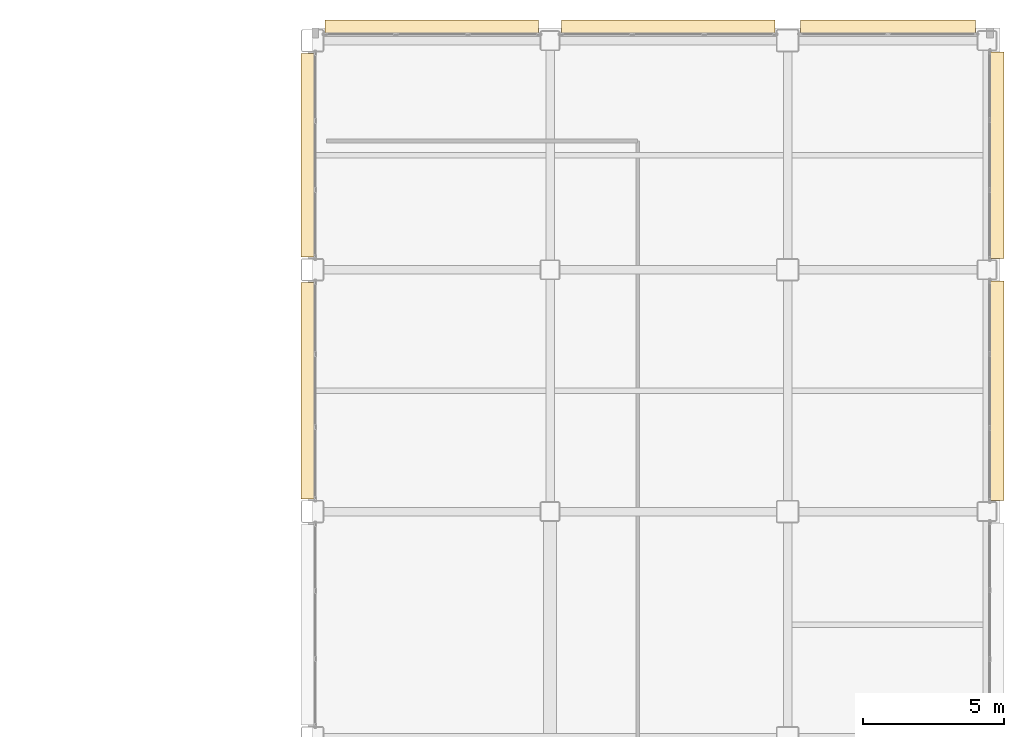
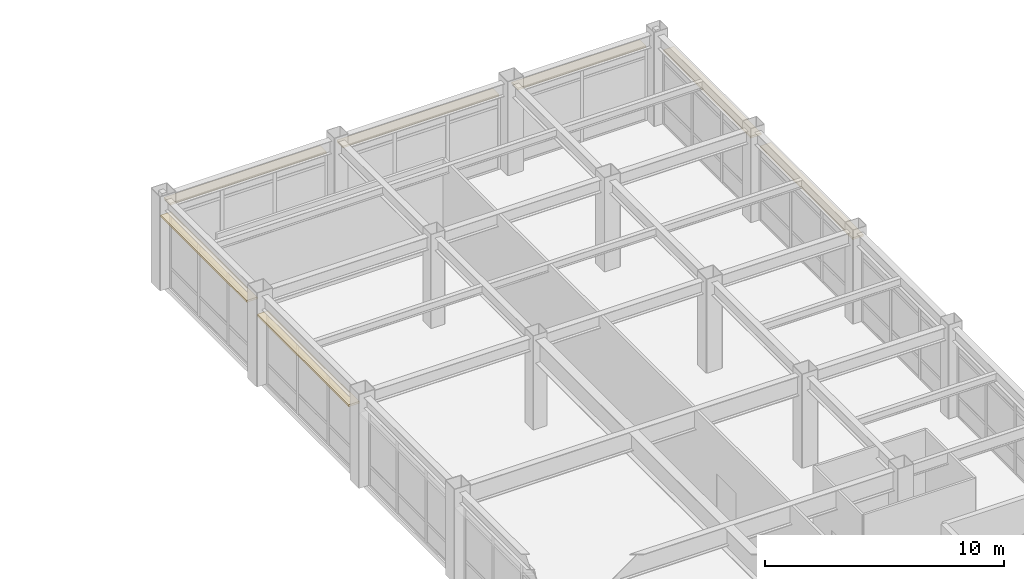
# One storey, part 154 of 154: 7 coverings.
"""IFC4 building model written with IfcOpenShell, lengths in metres."""

import ifcopenshell
import ifcopenshell.guid

model = None  # the IFC model being written
_history = None  # IfcOwnerHistory: only IFC2X3 demands one
_inside = {}  # id of a spatial element -> (the spatial element, [elements in it])
_under = {}  # id of a project, library or spatial element -> (it, [spatial elements below it])
_declared = {}  # id of a project -> (the project, [libraries it declares])
_typed = {}  # id of a type object -> (the type object, [elements of that type])
_made_of = {}  # id of a material, layer set ... -> (it, [elements and type objects made of it])


def new_model(schema):
    """Start an empty IFC model of exactly this schema.

    Asked for "IFC4X3", IfcOpenShell would pick the latest addendum, in which some entities
    have other attributes; the version numbers below select the first issue.
    IFC2X3 requires an IfcOwnerHistory on every rooted entity: one is made here for all.
    """
    global model, _history
    if schema == "IFC4X3":
        model = ifcopenshell.file(schema_version=(4, 3, 0, 0))
    else:
        model = ifcopenshell.file(schema=schema)
    _inside.clear()
    _under.clear()
    _declared.clear()
    _typed.clear()
    _made_of.clear()
    _history = None
    if model.schema == "IFC2X3":
        org = make("IfcOrganization", Name="unknown")
        user = make(
            "IfcPersonAndOrganization",
            ThePerson=make("IfcPerson", FamilyName="unknown"),
            TheOrganization=org,
        )
        app = make(
            "IfcApplication",
            ApplicationDeveloper=org,
            Version="unknown",
            ApplicationFullName="unknown",
            ApplicationIdentifier="unknown",
        )
        _history = make(
            "IfcOwnerHistory",
            OwningUser=user,
            OwningApplication=app,
            ChangeAction="ADDED",
            CreationDate=0,
        )
    return model


def make(cls, **values):
    """One entity of the class cls with the attributes given. An attribute that is None is left unset."""
    return model.create_entity(
        cls, **{name: value for name, value in values.items() if value is not None}
    )


def rooted(cls, **values):
    """An entity with a GlobalId (a new one), such as an element, a storey or a relation."""
    return make(cls, GlobalId=ifcopenshell.guid.new(), OwnerHistory=_history, **values)


def si_unit(unit_type, name, prefix=None):
    """IfcSIUnit, for example si_unit("LENGTHUNIT", "METRE", prefix="MILLI")."""
    return make("IfcSIUnit", UnitType=unit_type, Prefix=prefix, Name=name)


def assignment(units):
    """IfcUnitAssignment: the units of a project."""
    return None if units is None else make("IfcUnitAssignment", Units=units)


def point(xyz):
    """IfcCartesianPoint."""
    return None if xyz is None else make("IfcCartesianPoint", Coordinates=xyz)


def direction(xyz):
    """IfcDirection."""
    return None if xyz is None else make("IfcDirection", DirectionRatios=xyz)


def frame(location, z_axis=None, x_axis=None):
    """IfcAxis2Placement3D, a coordinate frame: its origin and axes. An axis left out is left unset."""
    return make(
        "IfcAxis2Placement3D",
        Location=point(location),
        Axis=direction(z_axis),
        RefDirection=direction(x_axis),
    )


def frame_2d(location, x_axis=None):
    """IfcAxis2Placement2D, a coordinate frame in the plane: its origin and x axis."""
    return make(
        "IfcAxis2Placement2D", Location=point(location), RefDirection=direction(x_axis)
    )


def origin():
    """The frame at (0, 0, 0) with its axes left unset."""
    return frame((0.0, 0.0, 0.0))


def origin_2d():
    """The frame at (0, 0) in the plane with its x axis left unset."""
    return frame_2d((0.0, 0.0))


def place(relative_to, where):
    """IfcLocalPlacement: puts the frame where relative to a parent placement (None: the world)."""
    return make(
        "IfcLocalPlacement", PlacementRelTo=relative_to, RelativePlacement=where
    )


def context(
    kind, dimensions, precision=None, world=None, true_north=None, identifier=None
):
    """IfcGeometricRepresentationContext, for example the 3D "Model" context."""
    return make(
        "IfcGeometricRepresentationContext",
        ContextIdentifier=identifier,
        ContextType=kind,
        CoordinateSpaceDimension=dimensions,
        Precision=precision,
        WorldCoordinateSystem=world,
        TrueNorth=true_north,
    )


def subcontext(parent, identifier, kind, view, scale=None):
    """IfcGeometricRepresentationSubContext, for example "Body" below "Model"."""
    return make(
        "IfcGeometricRepresentationSubContext",
        ContextIdentifier=identifier,
        ContextType=kind,
        ParentContext=parent,
        TargetScale=scale,
        TargetView=view,
    )


def project(units=None, contexts=None):
    """IfcProject with its units and contexts."""
    return rooted(
        "IfcProject",
        Name="project",
        RepresentationContexts=contexts,
        UnitsInContext=assignment(units),
    )


def spatial(cls, under=None, at=None, **own):
    """A site, building, storey or space (cls), placed at a placement, below another one or the project."""
    s = rooted(cls, ObjectPlacement=at, **own)
    if under is not None:
        _under.setdefault(under.id(), (under, []))[1].append(s)
    return s


def profile(cls, at=None, kind="AREA", **sizes):
    """A parametric profile (cls). Its sizes go by their IFC names, for example OverallWidth=200.0."""
    return make(cls, ProfileType=kind, Position=at, **sizes)


def rectangle(**sizes):
    """IfcRectangleProfileDef."""
    return profile("IfcRectangleProfileDef", **sizes)


def extrude(swept, where, along, depth):
    """IfcExtrudedAreaSolid: the profile swept, set in the frame where, extruded along a direction by depth."""
    return make(
        "IfcExtrudedAreaSolid",
        SweptArea=swept,
        Position=where,
        ExtrudedDirection=direction(along),
        Depth=depth,
    )


def shape(context_of_items, identifier, shape_type, items):
    """IfcShapeRepresentation: the items that make up one representation, for example the "Body"."""
    return make(
        "IfcShapeRepresentation",
        ContextOfItems=context_of_items,
        RepresentationIdentifier=identifier,
        RepresentationType=shape_type,
        Items=items,
    )


def material(Name=None, Category=None):
    """IfcMaterial."""
    return make("IfcMaterial", Name=Name, Category=Category)


def layer(
    of_material, thickness, ventilated=None, Name=None, Category=None, Priority=None
):
    """IfcMaterialLayer: one layer of a wall or slab, of a material (None: an air gap)."""
    return make(
        "IfcMaterialLayer",
        Material=of_material,
        LayerThickness=thickness,
        IsVentilated=ventilated,
        Name=Name,
        Category=Category,
        Priority=Priority,
    )


def layer_set(layers, Name=None):
    """IfcMaterialLayerSet."""
    return make("IfcMaterialLayerSet", MaterialLayers=layers, LayerSetName=Name)


def made_of(thing, what):
    """Note that an element or type object is made of a material, layer set ...; save() writes the relation."""
    if what is not None:
        _made_of.setdefault(what.id(), (what, []))[1].append(thing)
    return thing


def type_object(cls, material=None, **own):
    """A type object (cls), such as IfcWallType, which elements share."""
    return made_of(rooted(cls, **own), material)


def element(
    cls,
    number,
    at=None,
    inside=None,
    cuts=None,
    type_object=None,
    material=None,
    context=None,
    identifier="Body",
    shape_type=None,
    held_by="IfcProductDefinitionShape",
    body=None,
    shapes=None,
    **own,
):
    """One element of the class cls, such as IfcWall. Its Tag is "e" and its number.

    at: its placement. inside: the storey or other place that contains it. cuts: it is an
    opening in that element (IfcRelVoidsElement). A single representation is given by context,
    identifier, shape_type and body (its items); several are given by shapes. held_by: the class
    of the entity that holds the representations. save() writes the other relations.
    """
    e = rooted(cls, Tag="e%d" % number, ObjectPlacement=at, **own)
    if body is not None:
        shapes = [shape(context, identifier, shape_type, body)]
    if shapes is not None:
        e.Representation = make(held_by, Representations=shapes)
    if inside is not None:
        _inside.setdefault(inside.id(), (inside, []))[1].append(e)
    if cuts is not None:
        rooted(
            "IfcRelVoidsElement", RelatingBuildingElement=cuts, RelatedOpeningElement=e
        )
    if type_object is not None:
        _typed.setdefault(type_object.id(), (type_object, []))[1].append(e)
    return made_of(e, material)


def aggregate(whole, parts):
    """IfcRelAggregates: a whole, such as a stair, and the parts it consists of."""
    return rooted("IfcRelAggregates", RelatingObject=whole, RelatedObjects=parts)


def save(model, path):
    """Write the relations noted so far, then the file.

    IfcRelAggregates (storeys below a building ...), IfcRelContainedInSpatialStructure (elements
    in a storey), IfcRelDefinesByType, IfcRelAssociatesMaterial and IfcRelDeclares: one each for
    every whole, place, type object, material and project.
    """
    for whole, parts in _under.values():
        aggregate(whole, parts)
    for where, things in _inside.values():
        rooted(
            "IfcRelContainedInSpatialStructure",
            RelatedElements=things,
            RelatingStructure=where,
        )
    for kind, things in _typed.values():
        rooted("IfcRelDefinesByType", RelatedObjects=things, RelatingType=kind)
    for what, things in _made_of.values():
        rooted("IfcRelAssociatesMaterial", RelatedObjects=things, RelatingMaterial=what)
    for by, libraries in _declared.values():
        rooted("IfcRelDeclares", RelatingContext=by, RelatedDefinitions=libraries)
    model.write(path)


model = new_model("IFC4")

# Units and contexts
model_context = context("Model", 3, precision=1e-05, world=origin(), true_north=direction((0.0, 1.0)))
body_context = subcontext(model_context, "Body", "Model", "MODEL_VIEW")
ifc_project = project(units=[si_unit("LENGTHUNIT", "METRE"), si_unit("AREAUNIT", "SQUARE_METRE"), si_unit("VOLUMEUNIT", "CUBIC_METRE"), si_unit("PLANEANGLEUNIT", "RADIAN"), si_unit("MASSUNIT", "GRAM", prefix="KILO")], contexts=[model_context])

# Site, building, storey
site_placement = place(None, origin())
site = spatial("IfcSite", under=ifc_project, at=site_placement, CompositionType="ELEMENT")
building_placement = place(site_placement, origin())
building = spatial("IfcBuilding", under=site, at=building_placement, Name="Kazehara Bluff Congress Hotel", CompositionType="ELEMENT")
storey_placement = place(building_placement, frame((0.0, 0.0, 10.199951171875)))
storey = spatial("IfcBuildingStorey", under=building, at=storey_placement, Name="L02", CompositionType="ELEMENT", Elevation=10.199951171875)

# Coverings
ifc_material = material(Name="Anodised aluminium architectural brise-soleil", Category="aluminium")
ifc_layer = layer(ifc_material, 0.10009765625)
ifc_layer_set = layer_set([ifc_layer], Name="Anodised aluminium architectural brise-soleil")
covering_type = type_object("IfcCoveringType", Name="TP-FAC-FIN", PredefinedType="CLADDING", material=ifc_layer_set)
covering_1_placement = place(storey_placement, frame((167.889892578125, 101.175048828125, 3.715087890625), z_axis=(0.0, 0.0, 1.0), x_axis=(1.0, 0.0, 0.0)))
element("IfcCovering", 1, at=covering_1_placement, inside=storey, type_object=covering_type, Name="L02 V5 architectural sun-hood 113", PredefinedType="CLADDING", context=body_context, shape_type="SweptSolid", body=[
    extrude(rectangle(XDim=0.52001953125, YDim=7.75, at=origin_2d()), origin(), (0.0, 0.0, 1.0), 0.10009765625),
])
covering_2_placement = place(storey_placement, frame((167.889892578125, 109.5, 3.715087890625), z_axis=(0.0, 0.0, 1.0), x_axis=(1.0, 0.0, 0.0)))
element("IfcCovering", 2, at=covering_2_placement, inside=storey, type_object=covering_type, Name="L02 V5 architectural sun-hood 114", PredefinedType="CLADDING", context=body_context, shape_type="SweptSolid", body=[
    extrude(rectangle(XDim=0.52001953125, YDim=7.300048828125, at=origin_2d()), origin(), (0.0, 0.0, 1.0), 0.10009765625),
])
for number, where, z_axis, x_axis, name in (
    (3, (147.925048828125, 114.02001953125, 3.715087890625), (0.0, 0.0, 1.0), (1.0, 0.0, 0.0), "L02 V5 architectural sun-hood 115"),
    (4, (156.27490234375, 114.02001953125, 3.715087890625), (0.0, 0.0, 1.0), (1.0, 0.0, 0.0), "L02 V5 architectural sun-hood 116"),
):
    element("IfcCovering", number, at=place(storey_placement, frame(where, z_axis=z_axis, x_axis=x_axis)), inside=storey, type_object=covering_type, Name=name, PredefinedType="CLADDING", context=body_context, shape_type="SweptSolid", body=[
        extrude(rectangle(XDim=7.550048828125, YDim=0.52001953125, at=origin_2d()), origin(), (0.0, 0.0, 1.0), 0.10009765625),
    ])
covering_3_placement = place(storey_placement, frame((164.050048828125, 114.02001953125, 3.715087890625), z_axis=(0.0, 0.0, 1.0), x_axis=(1.0, 0.0, 0.0)))
element("IfcCovering", 5, at=covering_3_placement, inside=storey, type_object=covering_type, Name="L02 V5 architectural sun-hood 117", PredefinedType="CLADDING", context=body_context, shape_type="SweptSolid", body=[
    extrude(rectangle(XDim=6.199951171875, YDim=0.52001953125, at=origin_2d()), origin(), (0.0, 0.0, 1.0), 0.10009765625),
])
covering_4_placement = place(storey_placement, frame((143.56005859375, 101.175048828125, 3.6650390625), z_axis=(0.0, 0.0, 1.0), x_axis=(1.0, 0.0, 0.0)))
element("IfcCovering", 6, at=covering_4_placement, inside=storey, type_object=covering_type, Name="L02 V5 architectural sun-hood 126", PredefinedType="CLADDING", context=body_context, shape_type="SweptSolid", body=[
    extrude(rectangle(XDim=0.52001953125, YDim=7.64990234375, at=origin_2d()), origin(), (0.0, 0.0, 1.0), 0.10009765625),
])
covering_5_placement = place(storey_placement, frame((143.56005859375, 109.5, 3.81494140625), z_axis=(0.0, 0.0, 1.0), x_axis=(1.0, 0.0, 0.0)))
element("IfcCovering", 7, at=covering_5_placement, inside=storey, type_object=covering_type, Name="L02 V5 architectural sun-hood 127", PredefinedType="CLADDING", context=body_context, shape_type="SweptSolid", body=[
    extrude(rectangle(XDim=0.52001953125, YDim=7.199951171875, at=origin_2d()), origin(), (0.0, 0.0, 1.0), 0.10009765625),
])

save(model, "model.ifc")
